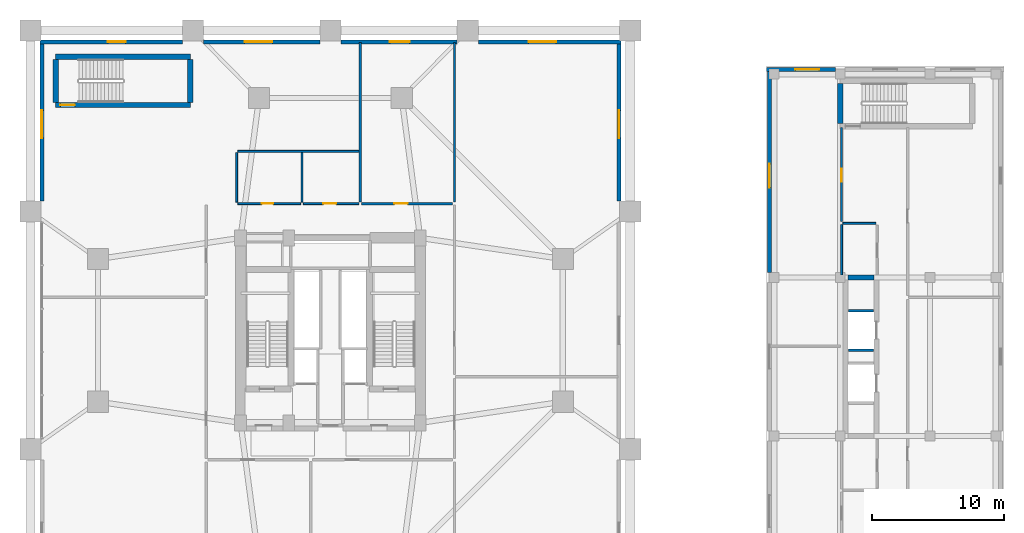
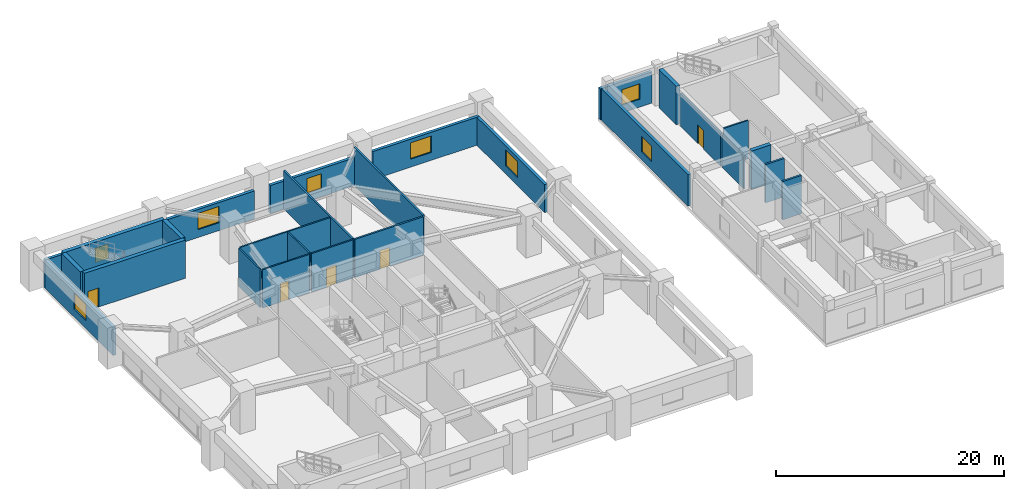
# One storey, part 10 of 16: 27 walls, 8 windows, 5 doors, 13 openings.
"""IFC4 building model written with IfcOpenShell, lengths in metres."""

from ifc_helpers import new_model, si_unit, direction, frame, frame_2d, origin, place, context, subcontext, project, spatial, rectangle, extrude, source, transform, mapped, material, layer, layer_set, type_object, element, fill, save


model = new_model("IFC4")

# Units and contexts
model_context = context("Model", 3, precision=1e-05, world=origin(), true_north=direction((0.0, 1.0)))
body_context = subcontext(model_context, "Body", "Model", "MODEL_VIEW")
ifc_project = project(units=[si_unit("LENGTHUNIT", "METRE"), si_unit("AREAUNIT", "SQUARE_METRE"), si_unit("VOLUMEUNIT", "CUBIC_METRE"), si_unit("PLANEANGLEUNIT", "RADIAN"), si_unit("MASSUNIT", "GRAM", prefix="KILO")], contexts=[model_context])

# Site, building, storey
site_placement = place(None, origin())
site = spatial("IfcSite", under=ifc_project, at=site_placement, CompositionType="ELEMENT")
building_placement = place(site_placement, origin())
building = spatial("IfcBuilding", under=site, at=building_placement, Name="Veraguas Prism Commons", CompositionType="ELEMENT")
storey_placement = place(building_placement, frame((0.0, 0.0, 14.0)))
storey = spatial("IfcBuildingStorey", under=building, at=storey_placement, Name="L03", CompositionType="ELEMENT", Elevation=14.0)

# Wall, opening, door
ifc_material_1 = material(Name="Concrete C50/60", Category="concrete")
ifc_layer_1 = layer(ifc_material_1, 0.39990234375, Name="Clinic and Mid Core Shear Wall RC 400", Category="concrete")
ifc_layer_set_1 = layer_set([ifc_layer_1], Name="Concrete C50/60")
wall_type_1 = type_object("IfcWallType", Name="Clinic and Mid Core Shear Wall RC 400", PredefinedType="SHEAR", material=ifc_layer_set_1)
wall_1_placement = place(storey_placement, frame((3.199951171875, 41.06005859375, 0.0), z_axis=(0.0, 0.0, 1.0), x_axis=(1.0, 0.0, 0.0)))
wall_1 = element("IfcWall", 1, at=wall_1_placement, inside=storey, type_object=wall_type_1, Name="ST-M2 South Shear Wall L03", PredefinedType="SHEAR", context=body_context, shape_type="SweptSolid", body=[
    extrude(rectangle(XDim=10.199951171875, YDim=0.39990234375, at=frame_2d((5.10009765625, 0.0))), origin(), (0.0, 0.0, 1.0), 4.10009765625),
])
opening_1_placement = place(wall_1_placement, frame((0.35009765625, 0.0, 0.0)))
opening_1 = element("IfcOpeningElement", 2, at=opening_1_placement, cuts=wall_1, Name="Opening DR-05", PredefinedType="OPENING", context=body_context, shape_type="SweptSolid", body=[
    extrude(rectangle(XDim=1.10009765625, YDim=2.030029296875, at=frame_2d((0.550048828125, 1.01513671875))), frame((0.0, 0.2099609375, 0.0), z_axis=(0.0, -1.0, 0.0), x_axis=(1.0, 0.0, 0.0)), (0.0, 0.0, 1.0), 0.419921875),
])
ifc_material_2 = material(Name="Steel fire-rated door assembly", Category="steel")
door_type_1 = type_object("IfcDoorType", Name="Protected Stair and Refuge Fire Door 1100x2030", OperationType="NOTDEFINED", PredefinedType="DOOR", material=ifc_material_2)
shared_shape_1 = source(origin(), body_context, "Body", "SweptSolid", [
    extrude(rectangle(XDim=1.10009765625, YDim=2.030029296875, at=frame_2d((0.550048828125, 1.01513671875))), frame((0.0, 0.02490234375, 0.0), z_axis=(0.0, -1.0, 0.0), x_axis=(1.0, 0.0, 0.0)), (0.0, 0.0, 1.0), 0.050048828125),
])
door_1_placement = place(opening_1_placement, origin())
door_1 = element("IfcDoor", 3, at=door_1_placement, inside=storey, type_object=door_type_1, Name="Metro Stair ST-M2 Door L03", OperationType="SINGLE_SWING_RIGHT", OverallHeight=2.030029296875, OverallWidth=1.10009765625, PredefinedType="DOOR", context=body_context, shape_type="MappedRepresentation", body=[
    mapped(shared_shape_1, transform((0.0, 0.0, 0.0), scale=1.0)),
])
fill(opening_1, door_1)

# Walls
wall_2_placement = place(storey_placement, frame((3.199951171875, 44.7099609375, 0.0), z_axis=(0.0, 0.0, 1.0), x_axis=(1.0, 0.0, 0.0)))
element("IfcWall", 4, at=wall_2_placement, inside=storey, type_object=wall_type_1, Name="ST-M2 North Shear Wall L03", PredefinedType="SHEAR", context=body_context, shape_type="SweptSolid", body=[
    extrude(rectangle(XDim=10.199951171875, YDim=0.39990234375, at=frame_2d((5.10009765625, 0.0))), origin(), (0.0, 0.0, 1.0), 4.10009765625),
])
for number, where, z_axis, x_axis, name in (
    (5, (3.199951171875, 41.260009765625, 0.0), (0.0, 0.0, 1.0), (0.0, 1.0, 0.0), "ST-M2 West Shear Wall L03"),
    (6, (13.39990234375, 41.260009765625, 0.0), (0.0, 0.0, 1.0), (0.0, 1.0, 0.0), "ST-M2 East Shear Wall L03"),
):
    element("IfcWall", number, at=place(storey_placement, frame(where, z_axis=z_axis, x_axis=x_axis)), inside=storey, type_object=wall_type_1, Name=name, PredefinedType="SHEAR", context=body_context, shape_type="SweptSolid", body=[
        extrude(rectangle(XDim=3.25, YDim=0.39990234375, at=frame_2d((1.625, 0.0))), origin(), (0.0, 0.0, 1.0), 4.10009765625),
    ])
wall_3_placement = place(storey_placement, frame((63.199951171875, 28.0, 0.0), z_axis=(0.0, 0.0, 1.0), x_axis=(1.0, 0.0, 0.0)))
element("IfcWall", 7, at=wall_3_placement, inside=storey, type_object=wall_type_1, Name="Health Centre Core North Wall L03", PredefinedType="SHEAR", context=body_context, shape_type="SweptSolid", body=[
    extrude(rectangle(XDim=1.949951171875, YDim=0.39990234375, at=frame_2d((0.97509765625, 0.0))), origin(), (0.0, 0.0, 1.0), 4.10009765625),
])
wall_4_placement = place(storey_placement, frame((62.60009765625, 39.659912109375, 0.0), z_axis=(0.0, 0.0, 1.0), x_axis=(0.0, 1.0, 0.0)))
element("IfcWall", 8, at=wall_4_placement, inside=storey, type_object=wall_type_1, Name="ST-H2 West Shear Wall L03", PredefinedType="SHEAR", context=body_context, shape_type="SweptSolid", body=[
    extrude(rectangle(XDim=3.050048828125, YDim=0.39990234375, at=frame_2d((1.52490234375, 0.0))), origin(), (0.0, 0.0, 1.0), 4.10009765625),
])

# Wall, opening, door
ifc_material_3 = material(Name="Autoclaved aerated masonry block 10 MPa", Category="masonry")
ifc_layer_2 = layer(ifc_material_3, 0.179931640625, Name="Corridor and Inter-Tenancy Partition 180", Category="masonry")
ifc_layer_set_2 = layer_set([ifc_layer_2], Name="Autoclaved aerated masonry block 10 MPa")
wall_type_2 = type_object("IfcWallType", Name="Corridor and Inter-Tenancy Partition 180", PredefinedType="PARTITIONING", material=ifc_layer_set_2)
wall_5_placement = place(storey_placement, frame((26.35009765625, 33.60009765625, 0.0), z_axis=(0.0, 0.0, 1.0), x_axis=(1.0, 0.0, 0.0)))
wall_5 = element("IfcWall", 9, at=wall_5_placement, inside=storey, type_object=wall_type_2, Name="WL-L03-PDPT12", PredefinedType="PARTITIONING", context=body_context, shape_type="SweptSolid", body=[
    extrude(rectangle(XDim=6.89990234375, YDim=0.179931640625, at=frame_2d((3.449951171875, 0.0))), origin(), (0.0, 0.0, 1.0), 4.10009765625),
])
opening_2_placement = place(wall_5_placement, frame((2.5, 0.0, 0.0)))
opening_2 = element("IfcOpeningElement", 10, at=opening_2_placement, cuts=wall_5, Name="Opening DR-13", PredefinedType="OPENING", context=body_context, shape_type="SweptSolid", body=[
    extrude(rectangle(XDim=1.0, YDim=2.010009765625, at=frame_2d((0.5, 1.0048828125))), frame((0.0, 0.099853515625, 0.0), z_axis=(0.0, -1.0, 0.0), x_axis=(1.0, 0.0, 0.0)), (0.0, 0.0, 1.0), 0.199951171875),
])
door_type_2 = type_object("IfcDoorType", Name="Core Accessible WC and Clinic Fire Door 1000x2010", OperationType="NOTDEFINED", PredefinedType="DOOR", material=ifc_material_2)
shared_shape_2 = source(origin(), body_context, "Body", "SweptSolid", [
    extrude(rectangle(XDim=1.0, YDim=2.010009765625, at=frame_2d((0.5, 1.0048828125))), frame((0.0, 0.02490234375, 0.0), z_axis=(0.0, -1.0, 0.0), x_axis=(1.0, 0.0, 0.0)), (0.0, 0.0, 1.0), 0.050048828125),
])
door_2_placement = place(opening_2_placement, origin())
door_2 = element("IfcDoor", 11, at=door_2_placement, inside=storey, type_object=door_type_2, Name="Seminar Room Door L03", OperationType="SINGLE_SWING_LEFT", OverallHeight=2.010009765625, OverallWidth=1.0, PredefinedType="DOOR", context=body_context, shape_type="MappedRepresentation", body=[
    mapped(shared_shape_2, transform((0.0, 0.0, 0.0), scale=1.0)),
])
fill(opening_2, door_2)

# Walls
for number, where, z_axis, x_axis, name in (
    (12, (26.25, 33.719970703125, 0.0), (0.0, 0.0, 1.0), (0.0, 1.0, 0.0), "WL-L03-PDPT14"),
    (13, (33.39990234375, 33.719970703125, 0.0), (0.0, 0.0, 1.0), (0.0, 1.0, 0.0), "WL-L03-PDPT14E"),
):
    element("IfcWall", number, at=place(storey_placement, frame(where, z_axis=z_axis, x_axis=x_axis)), inside=storey, type_object=wall_type_2, Name=name, PredefinedType="PARTITIONING", context=body_context, shape_type="SweptSolid", body=[
        extrude(rectangle(XDim=12.06005859375, YDim=0.179931640625, at=frame_2d((6.030029296875, 0.0))), origin(), (0.0, 0.0, 1.0), 4.10009765625),
    ])

# Wall, opening, door
wall_6_placement = place(storey_placement, frame((62.699951171875, 32.25, 0.0), z_axis=(0.0, 0.0, 1.0), x_axis=(0.0, 1.0, 0.0)))
wall_6 = element("IfcWall", 14, at=wall_6_placement, inside=storey, type_object=wall_type_2, Name="WL-L03-HCPT06", PredefinedType="PARTITIONING", context=body_context, shape_type="SweptSolid", body=[
    extrude(rectangle(XDim=7.10009765625, YDim=0.179931640625, at=frame_2d((3.550048828125, 0.0))), origin(), (0.0, 0.0, 1.0), 3.5),
])
opening_3_placement = place(wall_6_placement, frame((3.0, 0.0, 0.0)))
opening_3 = element("IfcOpeningElement", 15, at=opening_3_placement, cuts=wall_6, Name="Opening DR-13", PredefinedType="OPENING", context=body_context, shape_type="SweptSolid", body=[
    extrude(rectangle(XDim=1.0, YDim=2.010009765625, at=frame_2d((0.5, 1.0048828125))), frame((0.0, 0.099853515625, 0.0), z_axis=(0.0, -1.0, 0.0), x_axis=(1.0, 0.0, 0.0)), (0.0, 0.0, 1.0), 0.199951171875),
])
door_3_placement = place(opening_3_placement, origin())
door_3 = element("IfcDoor", 16, at=door_3_placement, inside=storey, type_object=door_type_2, Name="Community Dental Operatory Suite Door", OperationType="SINGLE_SWING_LEFT", OverallHeight=2.010009765625, OverallWidth=1.0, PredefinedType="DOOR", context=body_context, shape_type="MappedRepresentation", body=[
    mapped(shared_shape_2, transform((0.0, 0.0, 0.0), scale=1.0)),
])
fill(opening_3, door_3)

# Wall, opening, window
ifc_material_4 = material(Name="Precast concrete C40/50", Category="concrete")
ifc_layer_3 = layer(ifc_material_4, 0.300048828125, Name="External Precast Facade Wall 300", Category="concrete")
ifc_layer_set_3 = layer_set([ifc_layer_3], Name="Precast concrete C40/50")
wall_type_3 = type_object("IfcWallType", Name="External Precast Facade Wall 300", PredefinedType="SOLIDWALL", material=ifc_layer_set_3)
wall_7_placement = place(storey_placement, frame((45.85009765625, 33.800048828125, 0.0), z_axis=(0.0, 0.0, 1.0), x_axis=(0.0, 1.0, 0.0)))
wall_7 = element("IfcWall", 17, at=wall_7_placement, inside=storey, type_object=wall_type_3, Name="Podium East Plaza Wall L03-03", PredefinedType="SOLIDWALL", context=body_context, shape_type="SweptSolid", body=[
    extrude(rectangle(XDim=11.89990234375, YDim=0.300048828125, at=frame_2d((5.949951171875, 0.0))), origin(), (0.0, 0.0, 1.0), 3.0),
])
opening_4_placement = place(wall_7_placement, frame((4.75, 0.0, 0.85009765625)))
opening_4 = element("IfcOpeningElement", 18, at=opening_4_placement, cuts=wall_7, Name="Opening WN-07", PredefinedType="OPENING", context=body_context, shape_type="SweptSolid", body=[
    extrude(rectangle(XDim=2.10009765625, YDim=1.75, at=frame_2d((1.050048828125, 0.875))), frame((0.0, 0.159912109375, 0.0), z_axis=(0.0, -1.0, 0.0), x_axis=(1.0, 0.0, 0.0)), (0.0, 0.0, 1.0), 0.320068359375),
])
ifc_material_5 = material(Name="Laminated low-e glass", Category="glass")
window_type_1 = type_object("IfcWindowType", Name="Podium Community Window 2100x1750", PartitioningType="DOUBLE_PANEL_VERTICAL", PredefinedType="WINDOW", material=ifc_material_5)
shared_shape_3 = source(origin(), body_context, "Body", "SweptSolid", [
    extrude(rectangle(XDim=2.10009765625, YDim=1.75, at=frame_2d((1.050048828125, 0.875))), frame((0.0, 0.030029296875, 0.0), z_axis=(0.0, -1.0, 0.0), x_axis=(1.0, 0.0, 0.0)), (0.0, 0.0, 1.0), 0.06005859375),
])
window_1_placement = place(opening_4_placement, origin())
window_1 = element("IfcWindow", 19, at=window_1_placement, inside=storey, type_object=window_type_1, Name="Podium East Window L03-03", OverallHeight=1.75, OverallWidth=2.10009765625, PartitioningType="DOUBLE_PANEL_VERTICAL", PredefinedType="WINDOW", context=body_context, shape_type="MappedRepresentation", body=[
    mapped(shared_shape_3, transform((0.0, 0.0, 0.0), scale=1.0)),
])
fill(opening_4, window_1)

wall_8_placement = place(storey_placement, frame((46.0, 45.85009765625, 0.0), z_axis=(0.0, 0.0, 1.0), x_axis=(-1.0, 0.0, 0.0)))
wall_8 = element("IfcWall", 20, at=wall_8_placement, inside=storey, type_object=wall_type_3, Name="Podium North Facade Wall L03-01", PredefinedType="SOLIDWALL", context=body_context, shape_type="SweptSolid", body=[
    extrude(rectangle(XDim=10.800048828125, YDim=0.300048828125, at=frame_2d((5.39990234375, 0.0))), origin(), (0.0, 0.0, 1.0), 3.0),
])
opening_5_placement = place(wall_8_placement, frame((4.89990234375, 0.0, 0.85009765625)))
opening_5 = element("IfcOpeningElement", 21, at=opening_5_placement, cuts=wall_8, Name="Opening WN-07", PredefinedType="OPENING", context=body_context, shape_type="SweptSolid", body=[
    extrude(rectangle(XDim=2.10009765625, YDim=1.75, at=frame_2d((1.050048828125, 0.875))), frame((0.0, 0.159912109375, 0.0), z_axis=(0.0, -1.0, 0.0), x_axis=(1.0, 0.0, 0.0)), (0.0, 0.0, 1.0), 0.320068359375),
])
window_2_placement = place(opening_5_placement, origin())
window_2 = element("IfcWindow", 22, at=window_2_placement, inside=storey, type_object=window_type_1, Name="Podium North Window L03-01", OverallHeight=1.75, OverallWidth=2.10009765625, PartitioningType="DOUBLE_PANEL_VERTICAL", PredefinedType="WINDOW", context=body_context, shape_type="MappedRepresentation", body=[
    mapped(shared_shape_3, transform((0.0, 0.0, 0.0), scale=1.0)),
])
fill(opening_5, window_2)

wall_9_placement = place(storey_placement, frame((33.60009765625, 45.85009765625, 0.0), z_axis=(0.0, 0.0, 1.0), x_axis=(-1.0, 0.0, 0.0)))
wall_9 = element("IfcWall", 23, at=wall_9_placement, inside=storey, type_object=wall_type_3, Name="Podium North Facade Wall L03-02", PredefinedType="SOLIDWALL", context=body_context, shape_type="SweptSolid", body=[
    extrude(rectangle(XDim=8.800048828125, YDim=0.300048828125, at=frame_2d((4.39990234375, 0.0))), origin(), (0.0, 0.0, 1.0), 3.0),
])
opening_6_placement = place(wall_9_placement, frame((3.60009765625, 0.0, 0.85009765625)))
opening_6 = element("IfcOpeningElement", 24, at=opening_6_placement, cuts=wall_9, Name="Opening WN-05", PredefinedType="OPENING", context=body_context, shape_type="SweptSolid", body=[
    extrude(rectangle(XDim=1.5, YDim=1.60009765625, at=frame_2d((0.75, 0.800048828125))), frame((0.0, 0.159912109375, 0.0), z_axis=(0.0, -1.0, 0.0), x_axis=(1.0, 0.0, 0.0)), (0.0, 0.0, 1.0), 0.320068359375),
])
window_type_2 = type_object("IfcWindowType", Name="Loggia Living Side Window 1500x1600", PartitioningType="DOUBLE_PANEL_VERTICAL", PredefinedType="WINDOW", material=ifc_material_5)
shared_shape_4 = source(origin(), body_context, "Body", "SweptSolid", [
    extrude(rectangle(XDim=1.5, YDim=1.60009765625, at=frame_2d((0.75, 0.800048828125))), frame((0.0, 0.030029296875, 0.0), z_axis=(0.0, -1.0, 0.0), x_axis=(1.0, 0.0, 0.0)), (0.0, 0.0, 1.0), 0.06005859375),
])
window_3_placement = place(opening_6_placement, origin())
window_3 = element("IfcWindow", 25, at=window_3_placement, inside=storey, type_object=window_type_2, Name="Podium North Window L03-02", OverallHeight=1.60009765625, OverallWidth=1.5, PartitioningType="DOUBLE_PANEL_VERTICAL", PredefinedType="WINDOW", context=body_context, shape_type="MappedRepresentation", body=[
    mapped(shared_shape_4, transform((0.0, 0.0, 0.0), scale=1.0)),
])
fill(opening_6, window_3)

wall_10_placement = place(storey_placement, frame((23.199951171875, 45.85009765625, 0.0), z_axis=(0.0, 0.0, 1.0), x_axis=(-1.0, 0.0, 0.0)))
wall_10 = element("IfcWall", 26, at=wall_10_placement, inside=storey, type_object=wall_type_3, Name="Podium North Facade Wall L03-03", PredefinedType="SOLIDWALL", context=body_context, shape_type="SweptSolid", body=[
    extrude(rectangle(XDim=8.800048828125, YDim=0.300048828125, at=frame_2d((4.39990234375, 0.0))), origin(), (0.0, 0.0, 1.0), 3.0),
])
opening_7_placement = place(wall_10_placement, frame((3.60009765625, 0.0, 0.85009765625)))
opening_7 = element("IfcOpeningElement", 27, at=opening_7_placement, cuts=wall_10, Name="Opening WN-07", PredefinedType="OPENING", context=body_context, shape_type="SweptSolid", body=[
    extrude(rectangle(XDim=2.10009765625, YDim=1.75, at=frame_2d((1.050048828125, 0.875))), frame((0.0, 0.159912109375, 0.0), z_axis=(0.0, -1.0, 0.0), x_axis=(1.0, 0.0, 0.0)), (0.0, 0.0, 1.0), 0.320068359375),
])
window_4_placement = place(opening_7_placement, origin())
window_4 = element("IfcWindow", 28, at=window_4_placement, inside=storey, type_object=window_type_1, Name="Podium North Window L03-03", OverallHeight=1.75, OverallWidth=2.10009765625, PartitioningType="DOUBLE_PANEL_VERTICAL", PredefinedType="WINDOW", context=body_context, shape_type="MappedRepresentation", body=[
    mapped(shared_shape_3, transform((0.0, 0.0, 0.0), scale=1.0)),
])
fill(opening_7, window_4)

wall_11_placement = place(storey_placement, frame((12.800048828125, 45.85009765625, 0.0), z_axis=(0.0, 0.0, 1.0), x_axis=(-1.0, 0.0, 0.0)))
wall_11 = element("IfcWall", 29, at=wall_11_placement, inside=storey, type_object=wall_type_3, Name="Podium North Facade Wall L03-04", PredefinedType="SOLIDWALL", context=body_context, shape_type="SweptSolid", body=[
    extrude(rectangle(XDim=10.800048828125, YDim=0.300048828125, at=frame_2d((5.39990234375, 0.0))), origin(), (0.0, 0.0, 1.0), 3.0),
])
opening_8_placement = place(wall_11_placement, frame((4.300048828125, 0.0, 0.85009765625)))
opening_8 = element("IfcOpeningElement", 30, at=opening_8_placement, cuts=wall_11, Name="Opening WN-06", PredefinedType="OPENING", context=body_context, shape_type="SweptSolid", body=[
    extrude(rectangle(XDim=1.35009765625, YDim=1.550048828125, at=frame_2d((0.675048828125, 0.77490234375))), frame((0.0, 0.159912109375, 0.0), z_axis=(0.0, -1.0, 0.0), x_axis=(1.0, 0.0, 0.0)), (0.0, 0.0, 1.0), 0.320068359375),
])
window_type_3 = type_object("IfcWindowType", Name="Loggia Bedroom Side Window 1350x1550", PartitioningType="SINGLE_PANEL", PredefinedType="WINDOW", material=ifc_material_5)
shared_shape_5 = source(origin(), body_context, "Body", "SweptSolid", [
    extrude(rectangle(XDim=1.35009765625, YDim=1.550048828125, at=frame_2d((0.675048828125, 0.77490234375))), frame((0.0, 0.030029296875, 0.0), z_axis=(0.0, -1.0, 0.0), x_axis=(1.0, 0.0, 0.0)), (0.0, 0.0, 1.0), 0.06005859375),
])
window_5_placement = place(opening_8_placement, origin())
window_5 = element("IfcWindow", 31, at=window_5_placement, inside=storey, type_object=window_type_3, Name="Podium North Window L03-04", OverallHeight=1.550048828125, OverallWidth=1.35009765625, PartitioningType="SINGLE_PANEL", PredefinedType="WINDOW", context=body_context, shape_type="MappedRepresentation", body=[
    mapped(shared_shape_5, transform((0.0, 0.0, 0.0), scale=1.0)),
])
fill(opening_8, window_5)

wall_12_placement = place(storey_placement, frame((2.14990234375, 45.699951171875, 0.0), z_axis=(0.0, 0.0, 1.0), x_axis=(0.0, -1.0, 0.0)))
wall_12 = element("IfcWall", 32, at=wall_12_placement, inside=storey, type_object=wall_type_3, Name="Podium West Facade Wall L03-01", PredefinedType="SOLIDWALL", context=body_context, shape_type="SweptSolid", body=[
    extrude(rectangle(XDim=11.89990234375, YDim=0.300048828125, at=frame_2d((5.949951171875, 0.0))), origin(), (0.0, 0.0, 1.0), 3.0),
])
opening_9_placement = place(wall_12_placement, frame((5.050048828125, 0.0, 0.85009765625)))
opening_9 = element("IfcOpeningElement", 33, at=opening_9_placement, cuts=wall_12, Name="Opening WN-07", PredefinedType="OPENING", context=body_context, shape_type="SweptSolid", body=[
    extrude(rectangle(XDim=2.10009765625, YDim=1.75, at=frame_2d((1.050048828125, 0.875))), frame((0.0, 0.159912109375, 0.0), z_axis=(0.0, -1.0, 0.0), x_axis=(1.0, 0.0, 0.0)), (0.0, 0.0, 1.0), 0.320068359375),
])
window_6_placement = place(opening_9_placement, origin())
window_6 = element("IfcWindow", 34, at=window_6_placement, inside=storey, type_object=window_type_1, Name="Podium West Window L03-01", OverallHeight=1.75, OverallWidth=2.10009765625, PartitioningType="DOUBLE_PANEL_VERTICAL", PredefinedType="WINDOW", context=body_context, shape_type="MappedRepresentation", body=[
    mapped(shared_shape_3, transform((0.0, 0.0, 0.0), scale=1.0)),
])
fill(opening_9, window_6)

wall_13_placement = place(storey_placement, frame((62.22509765625, 43.75, 0.0), z_axis=(0.0, 0.0, 1.0), x_axis=(-1.0, 0.0, 0.0)))
wall_13 = element("IfcWall", 35, at=wall_13_placement, inside=storey, type_object=wall_type_3, Name="Health Centre North Wall L03-03", PredefinedType="SOLIDWALL", context=body_context, shape_type="SweptSolid", body=[
    extrude(rectangle(XDim=5.22509765625, YDim=0.300048828125, at=frame_2d((2.612548828125, 0.0))), origin(), (0.0, 0.0, 1.0), 3.35009765625),
])
opening_10_placement = place(wall_13_placement, frame((1.22509765625, 0.0, 0.85009765625)))
opening_10 = element("IfcOpeningElement", 36, at=opening_10_placement, cuts=wall_13, Name="Opening WN-01", PredefinedType="OPENING", context=body_context, shape_type="SweptSolid", body=[
    extrude(rectangle(XDim=1.800048828125, YDim=1.64990234375, at=frame_2d((0.89990234375, 0.824951171875))), frame((0.0, 0.159912109375, 0.0), z_axis=(0.0, -1.0, 0.0), x_axis=(1.0, 0.0, 0.0)), (0.0, 0.0, 1.0), 0.320068359375),
])
window_type_4 = type_object("IfcWindowType", Name="Clinic Consulting Double Window 1800x1650", PartitioningType="DOUBLE_PANEL_VERTICAL", PredefinedType="WINDOW", material=ifc_material_5)
shared_shape_6 = source(origin(), body_context, "Body", "SweptSolid", [
    extrude(rectangle(XDim=1.800048828125, YDim=1.64990234375, at=frame_2d((0.89990234375, 0.824951171875))), frame((0.0, 0.030029296875, 0.0), z_axis=(0.0, -1.0, 0.0), x_axis=(1.0, 0.0, 0.0)), (0.0, 0.0, 1.0), 0.06005859375),
])
window_7_placement = place(opening_10_placement, origin())
window_7 = element("IfcWindow", 37, at=window_7_placement, inside=storey, type_object=window_type_4, Name="Health Centre North Window L03-03", OverallHeight=1.64990234375, OverallWidth=1.800048828125, PartitioningType="DOUBLE_PANEL_VERTICAL", PredefinedType="WINDOW", context=body_context, shape_type="MappedRepresentation", body=[
    mapped(shared_shape_6, transform((0.0, 0.0, 0.0), scale=1.0)),
])
fill(opening_10, window_7)

wall_14_placement = place(storey_placement, frame((57.25, 43.60009765625, 0.0), z_axis=(0.0, 0.0, 1.0), x_axis=(0.0, -1.0, 0.0)))
wall_14 = element("IfcWall", 38, at=wall_14_placement, inside=storey, type_object=wall_type_3, Name="Health Centre West Plaza Wall L03-01", PredefinedType="SOLIDWALL", context=body_context, shape_type="SweptSolid", body=[
    extrude(rectangle(XDim=15.22509765625, YDim=0.300048828125, at=frame_2d((7.612548828125, 0.0))), origin(), (0.0, 0.0, 1.0), 3.35009765625),
])
opening_11_placement = place(wall_14_placement, frame((7.0, 0.0, 0.85009765625)))
opening_11 = element("IfcOpeningElement", 39, at=opening_11_placement, cuts=wall_14, Name="Opening WN-01", PredefinedType="OPENING", context=body_context, shape_type="SweptSolid", body=[
    extrude(rectangle(XDim=1.800048828125, YDim=1.64990234375, at=frame_2d((0.89990234375, 0.824951171875))), frame((0.0, 0.159912109375, 0.0), z_axis=(0.0, -1.0, 0.0), x_axis=(1.0, 0.0, 0.0)), (0.0, 0.0, 1.0), 0.320068359375),
])
window_8_placement = place(opening_11_placement, origin())
window_8 = element("IfcWindow", 40, at=window_8_placement, inside=storey, type_object=window_type_4, Name="Health Centre West Window L03-01", OverallHeight=1.64990234375, OverallWidth=1.800048828125, PartitioningType="DOUBLE_PANEL_VERTICAL", PredefinedType="WINDOW", context=body_context, shape_type="MappedRepresentation", body=[
    mapped(shared_shape_6, transform((0.0, 0.0, 0.0), scale=1.0)),
])
fill(opening_11, window_8)

# Walls
ifc_layer_4 = layer(ifc_material_3, 0.199951171875, Name="Rated Shaft and Lobby Block Wall 200", Category="masonry")
ifc_layer_set_4 = layer_set([ifc_layer_4], Name="Autoclaved aerated masonry block 10 MPa")
wall_type_4 = type_object("IfcWallType", Name="Rated Shaft and Lobby Block Wall 200", PredefinedType="SOLIDWALL", material=ifc_layer_set_4)
for number, where, z_axis, x_axis, name in (
    (41, (63.219970703125, 22.5, 0.0), (0.0, 0.0, 1.0), (1.0, 0.0, 0.0), "Health Centre Lift Shaft Divider Wall L03-CL2S"),
    (42, (63.219970703125, 25.5, 0.0), (0.0, 0.0, 1.0), (1.0, 0.0, 0.0), "Health Centre Lift Shaft Divider Wall L03-CL2N"),
):
    element("IfcWall", number, at=place(storey_placement, frame(where, z_axis=z_axis, x_axis=x_axis)), inside=storey, type_object=wall_type_4, Name=name, PredefinedType="SOLIDWALL", context=body_context, shape_type="SweptSolid", body=[
        extrude(rectangle(XDim=1.909912109375, YDim=0.199951171875, at=frame_2d((0.955078125, 0.0))), origin(), (0.0, 0.0, 1.0), 4.10009765625),
    ])

# Wall, opening, door
ifc_material_6 = material(Name="Lightweight acoustic gypsum board")
ifc_layer_5 = layer(ifc_material_6, 0.14990234375, Name="Wet Room and Clinic Acoustic Partition 150")
ifc_layer_set_5 = layer_set([ifc_layer_5], Name="Lightweight acoustic gypsum board")
wall_type_5 = type_object("IfcWallType", Name="Wet Room and Clinic Acoustic Partition 150", PredefinedType="PARTITIONING", material=ifc_layer_set_5)
wall_15_placement = place(storey_placement, frame((17.0, 33.60009765625, 0.0), z_axis=(0.0, 0.0, 1.0), x_axis=(1.0, 0.0, 0.0)))
wall_15 = element("IfcWall", 43, at=wall_15_placement, inside=storey, type_object=wall_type_5, Name="WL-L03-PDPT10", PredefinedType="PARTITIONING", context=body_context, shape_type="SweptSolid", body=[
    extrude(rectangle(XDim=4.75, YDim=0.14990234375, at=frame_2d((2.375, 0.0))), origin(), (0.0, 0.0, 1.0), 4.10009765625),
])
opening_12_placement = place(wall_15_placement, frame((1.800048828125, 0.0, 0.0)))
opening_12 = element("IfcOpeningElement", 44, at=opening_12_placement, cuts=wall_15, Name="Opening DR-12", PredefinedType="OPENING", context=body_context, shape_type="SweptSolid", body=[
    extrude(rectangle(XDim=0.860107421875, YDim=2.010009765625, at=frame_2d((0.43017578125, 1.0048828125))), frame((0.0, 0.0849609375, 0.0), z_axis=(0.0, -1.0, 0.0), x_axis=(1.0, 0.0, 0.0)), (0.0, 0.0, 1.0), 0.169921875),
])
door_type_3 = type_object("IfcDoorType", Name="Core WC Fire Door 860x2010", OperationType="NOTDEFINED", PredefinedType="DOOR", material=ifc_material_2)
shared_shape_7 = source(origin(), body_context, "Body", "SweptSolid", [
    extrude(rectangle(XDim=0.860107421875, YDim=2.010009765625, at=frame_2d((0.43017578125, 1.0048828125))), frame((0.0, 0.02490234375, 0.0), z_axis=(0.0, -1.0, 0.0), x_axis=(1.0, 0.0, 0.0)), (0.0, 0.0, 1.0), 0.050048828125),
])
door_4_placement = place(opening_12_placement, origin())
door_4 = element("IfcDoor", 45, at=door_4_placement, inside=storey, type_object=door_type_3, Name="Podium WC Door L03", OperationType="SINGLE_SWING_LEFT", OverallHeight=2.010009765625, OverallWidth=0.860107421875, PredefinedType="DOOR", context=body_context, shape_type="MappedRepresentation", body=[
    mapped(shared_shape_7, transform((0.0, 0.0, 0.0), scale=1.0)),
])
fill(opening_12, door_4)

wall_16_placement = place(storey_placement, frame((21.949951171875, 33.60009765625, 0.0), z_axis=(0.0, 0.0, 1.0), x_axis=(1.0, 0.0, 0.0)))
wall_16 = element("IfcWall", 46, at=wall_16_placement, inside=storey, type_object=wall_type_5, Name="WL-L03-PDPT11", PredefinedType="PARTITIONING", context=body_context, shape_type="SweptSolid", body=[
    extrude(rectangle(XDim=4.199951171875, YDim=0.14990234375, at=frame_2d((2.10009765625, 0.0))), origin(), (0.0, 0.0, 1.0), 4.10009765625),
])
opening_13_placement = place(wall_16_placement, frame((1.5, 0.0, 0.0)))
opening_13 = element("IfcOpeningElement", 47, at=opening_13_placement, cuts=wall_16, Name="Opening DR-13", PredefinedType="OPENING", context=body_context, shape_type="SweptSolid", body=[
    extrude(rectangle(XDim=1.0, YDim=2.010009765625, at=frame_2d((0.5, 1.0048828125))), frame((0.0, 0.0849609375, 0.0), z_axis=(0.0, -1.0, 0.0), x_axis=(1.0, 0.0, 0.0)), (0.0, 0.0, 1.0), 0.169921875),
])
door_5_placement = place(opening_13_placement, origin())
door_5 = element("IfcDoor", 48, at=door_5_placement, inside=storey, type_object=door_type_2, Name="Podium Accessible WC Door L03", OperationType="SINGLE_SWING_RIGHT", OverallHeight=2.010009765625, OverallWidth=1.0, PredefinedType="DOOR", context=body_context, shape_type="MappedRepresentation", body=[
    mapped(shared_shape_2, transform((0.0, 0.0, 0.0), scale=1.0)),
])
fill(opening_13, door_5)

# Walls
for number, where, z_axis, x_axis, name in (
    (49, (16.89990234375, 33.719970703125, 0.0), (0.0, 0.0, 1.0), (0.0, 1.0, 0.0), "WL-L03-PDPT13W"),
    (50, (21.85009765625, 33.719970703125, 0.0), (0.0, 0.0, 1.0), (0.0, 1.0, 0.0), "WL-L03-PDPT13"),
):
    element("IfcWall", number, at=place(storey_placement, frame(where, z_axis=z_axis, x_axis=x_axis)), inside=storey, type_object=wall_type_5, Name=name, PredefinedType="PARTITIONING", context=body_context, shape_type="SweptSolid", body=[
        extrude(rectangle(XDim=3.72998046875, YDim=0.14990234375, at=frame_2d((1.864990234375, 0.0))), origin(), (0.0, 0.0, 1.0), 4.10009765625),
    ])
wall_17_placement = place(storey_placement, frame((17.0, 37.550048828125, 0.0), z_axis=(0.0, 0.0, 1.0), x_axis=(1.0, 0.0, 0.0)))
element("IfcWall", 51, at=wall_17_placement, inside=storey, type_object=wall_type_5, Name="WL-L03-PDPT15", PredefinedType="PARTITIONING", context=body_context, shape_type="SweptSolid", body=[
    extrude(rectangle(XDim=9.14990234375, YDim=0.14990234375, at=frame_2d((4.574951171875, 0.0))), origin(), (0.0, 0.0, 1.0), 4.10009765625),
])
wall_18_placement = place(storey_placement, frame((62.800048828125, 32.10009765625, 0.0), z_axis=(0.0, 0.0, 1.0), x_axis=(1.0, 0.0, 0.0)))
element("IfcWall", 52, at=wall_18_placement, inside=storey, type_object=wall_type_5, Name="WL-L03-HCPT03", PredefinedType="PARTITIONING", context=body_context, shape_type="SweptSolid", body=[
    extrude(rectangle(XDim=2.5, YDim=0.14990234375, at=frame_2d((1.25, 0.0))), origin(), (0.0, 0.0, 1.0), 4.10009765625),
])
wall_19_placement = place(storey_placement, frame((62.699951171875, 28.199951171875, 0.0), z_axis=(0.0, 0.0, 1.0), x_axis=(0.0, 1.0, 0.0)))
element("IfcWall", 53, at=wall_19_placement, inside=storey, type_object=wall_type_5, Name="WL-L03-HCPT03W", PredefinedType="PARTITIONING", context=body_context, shape_type="SweptSolid", body=[
    extrude(rectangle(XDim=3.800048828125, YDim=0.14990234375, at=frame_2d((1.89990234375, 0.0))), origin(), (0.0, 0.0, 1.0), 3.5),
])

save(model, "model.ifc")
